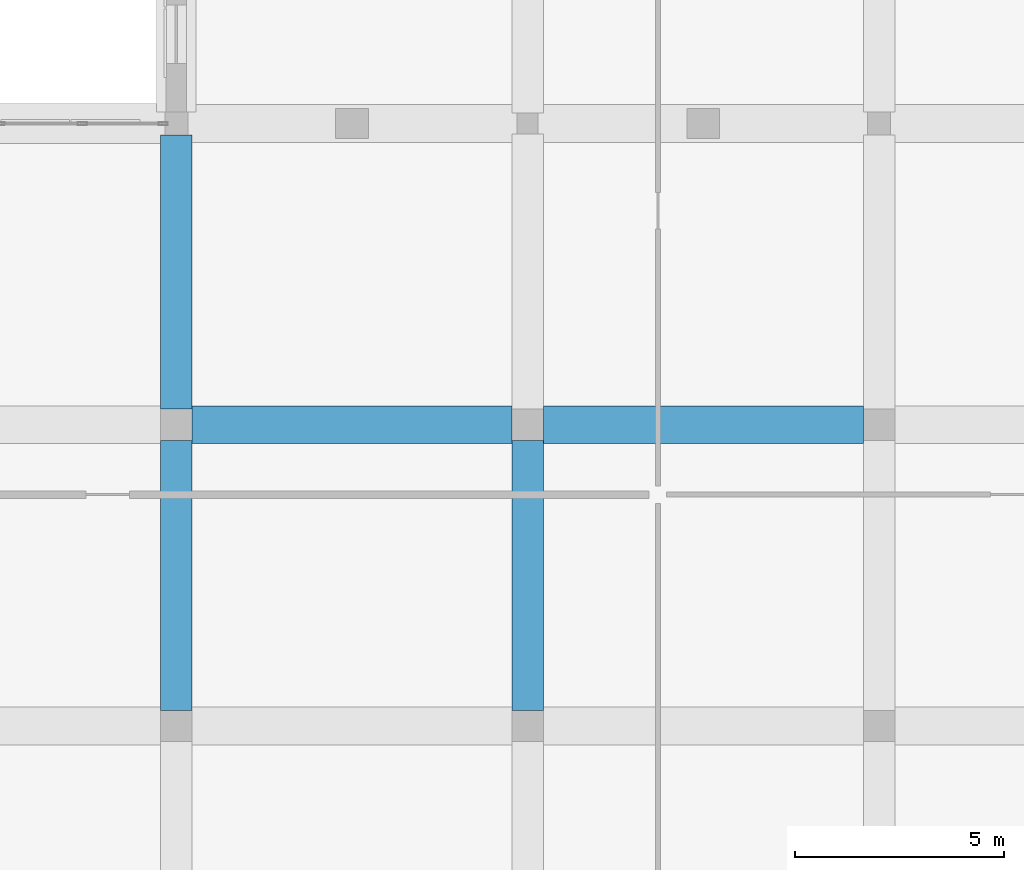
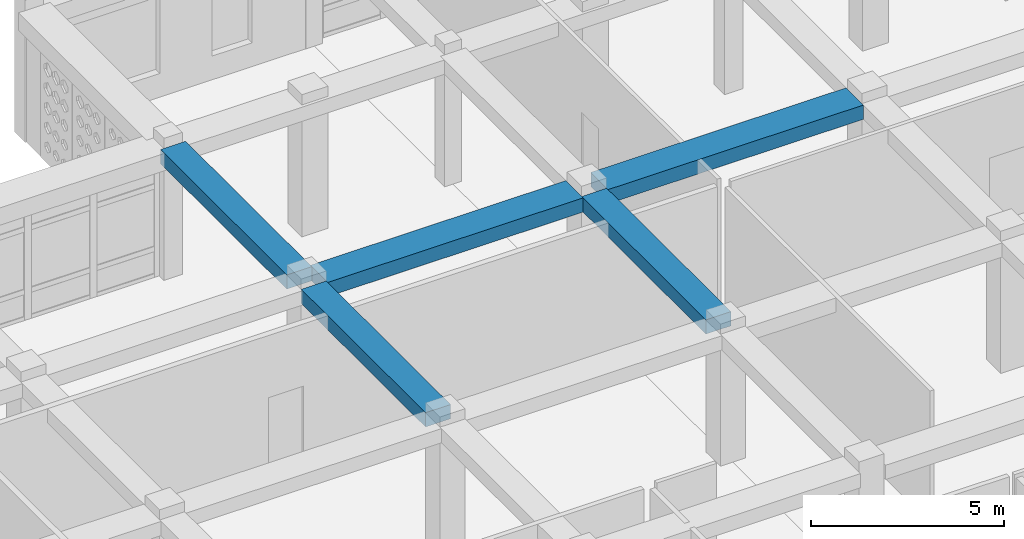
# One storey, part 42 of 121: 5 beams.
"""IFC4 building model written with IfcOpenShell, lengths in metres."""

from ifc_helpers import new_model, si_unit, derived_unit, direction, frame, origin, origin_2d, place, context, subcontext, project, spatial, rectangle, extrude, material, material_profile, profile_set, type_object, element, save


model = new_model("IFC4")

# Units and contexts
model_context = context("Model", 3, precision=1e-05, world=origin(), true_north=direction((0.0, 1.0)))
body_context = subcontext(model_context, "Body", "Model", "MODEL_VIEW")
ifc_project = project(units=[si_unit("LENGTHUNIT", "METRE"), si_unit("AREAUNIT", "SQUARE_METRE"), si_unit("VOLUMEUNIT", "CUBIC_METRE"), si_unit("PLANEANGLEUNIT", "RADIAN"), si_unit("MASSUNIT", "GRAM", prefix="KILO"), derived_unit("THERMALTRANSMITTANCEUNIT", [(si_unit("POWERUNIT", "WATT"), 1), (si_unit("LENGTHUNIT", "METRE"), -2), (si_unit("THERMODYNAMICTEMPERATUREUNIT", "KELVIN"), -1)])], contexts=[model_context])

# Site, building, storey
site_placement = place(None, origin())
site = spatial("IfcSite", under=ifc_project, at=site_placement, CompositionType="ELEMENT")
building_placement = place(site_placement, origin())
building = spatial("IfcBuilding", under=site, at=building_placement, Name="Veybourne Emporium", CompositionType="ELEMENT")
storey_placement = place(building_placement, frame((0.0, 0.0, 5.39990234375)))
storey = spatial("IfcBuildingStorey", under=building, at=storey_placement, Name="L01", CompositionType="ELEMENT", Elevation=5.39990234375)

# Beams
ifc_material = material(Name="Concrete C32/40", Category="concrete")
ifc_material_profile_1 = material_profile(ifc_material, rectangle(XDim=0.89990234375, YDim=0.449951171875, at=origin_2d()), Name="RC 900x450")
ifc_profile_set_1 = profile_set([ifc_material_profile_1], Name="Concrete C32/40")
beam_type_1 = type_object("IfcBeamType", Name="RCBeam_BB-03", PredefinedType="BEAM", material=ifc_profile_set_1)
beam_1_placement = place(storey_placement, frame((50.77490234375, 100.800048828125, 3.955078125), z_axis=(1.0, 0.0, 0.0), x_axis=(0.0, 1.0, 0.0)))
element("IfcBeam", 1, at=beam_1_placement, inside=storey, type_object=beam_type_1, Name="L01 X-grid beam BB-03 (6,14)", PredefinedType="BEAM", context=body_context, shape_type="SweptSolid", body=[
    extrude(rectangle(XDim=0.89990234375, YDim=0.449951171875, at=origin_2d()), origin(), (0.0, 0.0, 1.0), 7.650146484375),
])
beam_2_placement = place(storey_placement, frame((59.175048828125, 100.800048828125, 3.955078125), z_axis=(1.0, 0.0, 0.0), x_axis=(0.0, 1.0, 0.0)))
element("IfcBeam", 2, at=beam_2_placement, inside=storey, type_object=beam_type_1, Name="L01 X-grid beam BB-03 (7,14)", PredefinedType="BEAM", context=body_context, shape_type="SweptSolid", body=[
    extrude(rectangle(XDim=0.89990234375, YDim=0.449951171875, at=origin_2d()), origin(), (0.0, 0.0, 1.0), 7.64990234375),
])
ifc_material_profile_2 = material_profile(ifc_material, rectangle(XDim=0.75, YDim=0.449951171875, at=origin_2d()), Name="RC 750x450")
ifc_profile_set_2 = profile_set([ifc_material_profile_2], Name="Concrete C32/40")
beam_type_2 = type_object("IfcBeamType", Name="RCBeam_BB-04", PredefinedType="BEAM", material=ifc_profile_set_2)
beam_3_placement = place(storey_placement, frame((50.39990234375, 93.97509765625, 3.955078125), z_axis=(0.0, 1.0, 0.0), x_axis=(-1.0, 0.0, 0.0)))
element("IfcBeam", 3, at=beam_3_placement, inside=storey, type_object=beam_type_2, Name="L01 Y-grid beam BB-04 (6,13)", PredefinedType="BEAM", context=body_context, shape_type="SweptSolid", body=[
    extrude(rectangle(XDim=0.75, YDim=0.449951171875, at=origin_2d()), origin(), (0.0, 0.0, 1.0), 6.449951171875),
])
beam_4_placement = place(storey_placement, frame((50.39990234375, 101.175048828125, 3.955078125), z_axis=(0.0, 1.0, 0.0), x_axis=(-1.0, 0.0, 0.0)))
element("IfcBeam", 4, at=beam_4_placement, inside=storey, type_object=beam_type_2, Name="L01 Y-grid beam BB-04 (6,14)", PredefinedType="BEAM", context=body_context, shape_type="SweptSolid", body=[
    extrude(rectangle(XDim=0.75, YDim=0.449951171875, at=origin_2d()), origin(), (0.0, 0.0, 1.0), 6.550048828125),
])
beam_5_placement = place(storey_placement, frame((58.800048828125, 93.97509765625, 3.955078125), z_axis=(0.0, 1.0, 0.0), x_axis=(-1.0, 0.0, 0.0)))
element("IfcBeam", 5, at=beam_5_placement, inside=storey, type_object=beam_type_2, Name="L01 Y-grid beam BB-04 (7,13)", PredefinedType="BEAM", context=body_context, shape_type="SweptSolid", body=[
    extrude(rectangle(XDim=0.75, YDim=0.449951171875, at=origin_2d()), origin(), (0.0, 0.0, 1.0), 6.449951171875),
])

save(model, "model.ifc")
